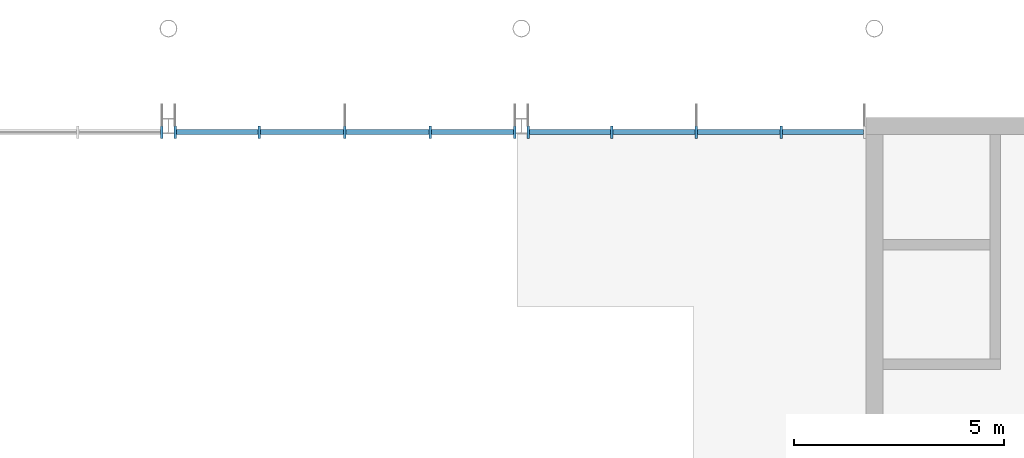
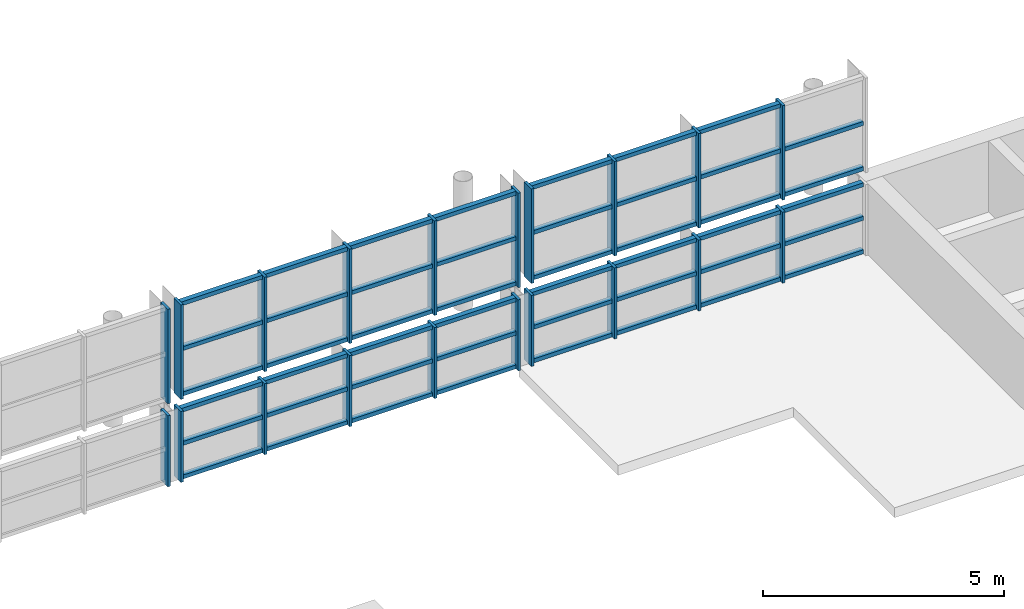
# One storey, part 26 of 72: 67 members, 6 elements without a shape of their own.
"""IFC4 building model written with IfcOpenShell, lengths in metres."""

from ifc_helpers import new_model, si_unit, direction, frame, origin, origin_2d, place, context, subcontext, project, spatial, rectangle, extrude, material, material_profile, profile_set, type_object, element, aggregate, save


model = new_model("IFC4")

# Units and contexts
model_context = context("Model", 3, precision=1e-05, world=origin(), true_north=direction((0.0, 1.0)))
body_context = subcontext(model_context, "Body", "Model", "MODEL_VIEW")
ifc_project = project(units=[si_unit("LENGTHUNIT", "METRE"), si_unit("AREAUNIT", "SQUARE_METRE"), si_unit("VOLUMEUNIT", "CUBIC_METRE"), si_unit("PLANEANGLEUNIT", "RADIAN"), si_unit("MASSUNIT", "GRAM", prefix="KILO")], contexts=[model_context])

# Site, building, storey
site_placement = place(None, origin())
site = spatial("IfcSite", under=ifc_project, at=site_placement, CompositionType="ELEMENT")
building_placement = place(site_placement, origin())
building = spatial("IfcBuilding", under=site, at=building_placement, Name="Hlaing Beacon Police Headquarters", CompositionType="ELEMENT")
storey_placement = place(building_placement, frame((0.0, 0.0, 14.39990234375)))
storey = spatial("IfcBuildingStorey", under=building, at=storey_placement, Name="L03", CompositionType="ELEMENT", Elevation=14.39990234375)

# Curtain wall, members
ifc_material_1 = material(Name="Aluminium frame with solar control glazing", Category="aluminium")
curtain_wall_type_1 = type_object("IfcCurtainWallType", Name="Unitised curtain wall 8.07 x 1.80 (300 frame)", PredefinedType="NOTDEFINED", material=ifc_material_1)
curtain_wall_1_placement = place(storey_placement, origin())
curtain_wall_1 = element("IfcCurtainWall", 1, at=curtain_wall_1_placement, inside=storey, type_object=curtain_wall_type_1, Name="ENV-CW-L03-N005", PredefinedType="NOTDEFINED")
ifc_material_2 = material(Name="Aluminium", Category="aluminium")
ifc_material_profile_1 = material_profile(ifc_material_2, rectangle(XDim=0.300048828125, YDim=0.06005859375, at=origin_2d()), Name="Mullion 60x300")
ifc_profile_set_1 = profile_set([ifc_material_profile_1], Name="Aluminium")
member_type_1 = type_object("IfcMemberType", Name="Mullion 60x300", PredefinedType="MULLION", material=ifc_profile_set_1)
member_1_placement = place(storey_placement, frame((56.58203125, 92.25, 0.0), z_axis=(0.0, 0.0, 1.0), x_axis=(0.0, -1.0, 0.0)))
member_1 = element("IfcMember", 2, at=member_1_placement, type_object=member_type_1, Name="CW-L03-N005 mullion 2", PredefinedType="MULLION", context=body_context, shape_type="SweptSolid", body=[
    extrude(rectangle(XDim=0.300048828125, YDim=0.06005859375, at=origin_2d()), origin(), (0.0, 0.0, 1.0), 1.800048828125),
])
member_2_placement = place(storey_placement, frame((54.564208984375, 92.25, 0.0), z_axis=(0.0, 0.0, 1.0), x_axis=(0.0, -1.0, 0.0)))
member_2 = element("IfcMember", 3, at=member_2_placement, type_object=member_type_1, Name="CW-L03-N005 mullion 3", PredefinedType="MULLION", context=body_context, shape_type="SweptSolid", body=[
    extrude(rectangle(XDim=0.300048828125, YDim=0.06005859375, at=origin_2d()), origin(), (0.0, 0.0, 1.0), 1.800048828125),
])
member_3_placement = place(storey_placement, frame((52.546142578125, 92.25, 0.0), z_axis=(0.0, 0.0, 1.0), x_axis=(0.0, -1.0, 0.0)))
member_3 = element("IfcMember", 4, at=member_3_placement, type_object=member_type_1, Name="CW-L03-N005 mullion 4", PredefinedType="MULLION", context=body_context, shape_type="SweptSolid", body=[
    extrude(rectangle(XDim=0.300048828125, YDim=0.06005859375, at=origin_2d()), origin(), (0.0, 0.0, 1.0), 1.800048828125),
])
member_4_placement = place(storey_placement, frame((50.558349609375, 92.25, 0.0), z_axis=(0.0, 0.0, 1.0), x_axis=(0.0, -1.0, 0.0)))
member_4 = element("IfcMember", 5, at=member_4_placement, type_object=member_type_1, Name="CW-L03-N005 mullion 5", PredefinedType="MULLION", context=body_context, shape_type="SweptSolid", body=[
    extrude(rectangle(XDim=0.300048828125, YDim=0.06005859375, at=origin_2d()), origin(), (0.0, 0.0, 1.0), 1.800048828125),
])

ifc_material_3 = material(Name="Aluminium frame with solar control glazing", Category="aluminium")
curtain_wall_type_2 = type_object("IfcCurtainWallType", Name="Unitised curtain wall 8.07 x 2.40 (300 frame)", PredefinedType="NOTDEFINED", material=ifc_material_3)
curtain_wall_2_placement = place(storey_placement, origin())
curtain_wall_2 = element("IfcCurtainWall", 6, at=curtain_wall_2_placement, inside=storey, type_object=curtain_wall_type_2, Name="ENV-CW-L03-N006", PredefinedType="NOTDEFINED")
member_5_placement = place(storey_placement, frame((56.58203125, 92.25, 2.10498046875), z_axis=(0.0, 0.0, 1.0), x_axis=(0.0, -1.0, 0.0)))
member_5 = element("IfcMember", 7, at=member_5_placement, type_object=member_type_1, Name="CW-L03-N006 mullion 2", PredefinedType="MULLION", context=body_context, shape_type="SweptSolid", body=[
    extrude(rectangle(XDim=0.300048828125, YDim=0.06005859375, at=origin_2d()), origin(), (0.0, 0.0, 1.0), 2.39501953125),
])
member_6_placement = place(storey_placement, frame((54.564208984375, 92.25, 2.10498046875), z_axis=(0.0, 0.0, 1.0), x_axis=(0.0, -1.0, 0.0)))
member_6 = element("IfcMember", 8, at=member_6_placement, type_object=member_type_1, Name="CW-L03-N006 mullion 3", PredefinedType="MULLION", context=body_context, shape_type="SweptSolid", body=[
    extrude(rectangle(XDim=0.300048828125, YDim=0.06005859375, at=origin_2d()), origin(), (0.0, 0.0, 1.0), 2.39501953125),
])
member_7_placement = place(storey_placement, frame((52.546142578125, 92.25, 2.10498046875), z_axis=(0.0, 0.0, 1.0), x_axis=(0.0, -1.0, 0.0)))
member_7 = element("IfcMember", 9, at=member_7_placement, type_object=member_type_1, Name="CW-L03-N006 mullion 4", PredefinedType="MULLION", context=body_context, shape_type="SweptSolid", body=[
    extrude(rectangle(XDim=0.300048828125, YDim=0.06005859375, at=origin_2d()), origin(), (0.0, 0.0, 1.0), 2.39501953125),
])
member_8_placement = place(storey_placement, frame((50.558349609375, 92.25, 2.10498046875), z_axis=(0.0, 0.0, 1.0), x_axis=(0.0, -1.0, 0.0)))
member_8 = element("IfcMember", 10, at=member_8_placement, type_object=member_type_1, Name="CW-L03-N006 mullion 5", PredefinedType="MULLION", context=body_context, shape_type="SweptSolid", body=[
    extrude(rectangle(XDim=0.300048828125, YDim=0.06005859375, at=origin_2d()), origin(), (0.0, 0.0, 1.0), 2.39501953125),
])

ifc_material_4 = material(Name="Aluminium frame with solar control glazing", Category="aluminium")
curtain_wall_type_3 = type_object("IfcCurtainWallType", Name="Unitised curtain wall 8.14 x 1.80 (300 frame)", PredefinedType="NOTDEFINED", material=ifc_material_4)
curtain_wall_3_placement = place(storey_placement, origin())
curtain_wall_3 = element("IfcCurtainWall", 11, at=curtain_wall_3_placement, inside=storey, type_object=curtain_wall_type_3, Name="ENV-CW-L03-N007", PredefinedType="NOTDEFINED")
member_9_placement = place(storey_placement, frame((50.24169921875, 92.25, 0.0), z_axis=(0.0, 0.0, 1.0), x_axis=(0.0, -1.0, 0.0)))
member_9 = element("IfcMember", 12, at=member_9_placement, type_object=member_type_1, Name="CW-L03-N007 mullion 1", PredefinedType="MULLION", context=body_context, shape_type="SweptSolid", body=[
    extrude(rectangle(XDim=0.300048828125, YDim=0.06005859375, at=origin_2d()), origin(), (0.0, 0.0, 1.0), 1.800048828125),
])
member_10_placement = place(storey_placement, frame((48.23583984375, 92.25, 0.0), z_axis=(0.0, 0.0, 1.0), x_axis=(0.0, -1.0, 0.0)))
member_10 = element("IfcMember", 13, at=member_10_placement, type_object=member_type_1, Name="CW-L03-N007 mullion 2", PredefinedType="MULLION", context=body_context, shape_type="SweptSolid", body=[
    extrude(rectangle(XDim=0.300048828125, YDim=0.06005859375, at=origin_2d()), origin(), (0.0, 0.0, 1.0), 1.800048828125),
])
member_11_placement = place(storey_placement, frame((46.199951171875, 92.25, 0.0), z_axis=(0.0, 0.0, 1.0), x_axis=(0.0, -1.0, 0.0)))
member_11 = element("IfcMember", 14, at=member_11_placement, type_object=member_type_1, Name="CW-L03-N007 mullion 3", PredefinedType="MULLION", context=body_context, shape_type="SweptSolid", body=[
    extrude(rectangle(XDim=0.300048828125, YDim=0.06005859375, at=origin_2d()), origin(), (0.0, 0.0, 1.0), 1.800048828125),
])
member_12_placement = place(storey_placement, frame((44.1640625, 92.25, 0.0), z_axis=(0.0, 0.0, 1.0), x_axis=(0.0, -1.0, 0.0)))
member_12 = element("IfcMember", 15, at=member_12_placement, type_object=member_type_1, Name="CW-L03-N007 mullion 4", PredefinedType="MULLION", context=body_context, shape_type="SweptSolid", body=[
    extrude(rectangle(XDim=0.300048828125, YDim=0.06005859375, at=origin_2d()), origin(), (0.0, 0.0, 1.0), 1.800048828125),
])
member_13_placement = place(storey_placement, frame((42.158203125, 92.25, 0.0), z_axis=(0.0, 0.0, 1.0), x_axis=(0.0, -1.0, 0.0)))
member_13 = element("IfcMember", 16, at=member_13_placement, type_object=member_type_1, Name="CW-L03-N007 mullion 5", PredefinedType="MULLION", context=body_context, shape_type="SweptSolid", body=[
    extrude(rectangle(XDim=0.300048828125, YDim=0.06005859375, at=origin_2d()), origin(), (0.0, 0.0, 1.0), 1.800048828125),
])

ifc_material_5 = material(Name="Aluminium frame with solar control glazing", Category="aluminium")
curtain_wall_type_4 = type_object("IfcCurtainWallType", Name="Unitised curtain wall 8.14 x 2.40 (300 frame)", PredefinedType="NOTDEFINED", material=ifc_material_5)
curtain_wall_4_placement = place(storey_placement, origin())
curtain_wall_4 = element("IfcCurtainWall", 17, at=curtain_wall_4_placement, inside=storey, type_object=curtain_wall_type_4, Name="ENV-CW-L03-N008", PredefinedType="NOTDEFINED")
member_14_placement = place(storey_placement, frame((50.24169921875, 92.25, 2.10498046875), z_axis=(0.0, 0.0, 1.0), x_axis=(0.0, -1.0, 0.0)))
member_14 = element("IfcMember", 18, at=member_14_placement, type_object=member_type_1, Name="CW-L03-N008 mullion 1", PredefinedType="MULLION", context=body_context, shape_type="SweptSolid", body=[
    extrude(rectangle(XDim=0.300048828125, YDim=0.06005859375, at=origin_2d()), origin(), (0.0, 0.0, 1.0), 2.39501953125),
])
member_15_placement = place(storey_placement, frame((48.23583984375, 92.25, 2.10498046875), z_axis=(0.0, 0.0, 1.0), x_axis=(0.0, -1.0, 0.0)))
member_15 = element("IfcMember", 19, at=member_15_placement, type_object=member_type_1, Name="CW-L03-N008 mullion 2", PredefinedType="MULLION", context=body_context, shape_type="SweptSolid", body=[
    extrude(rectangle(XDim=0.300048828125, YDim=0.06005859375, at=origin_2d()), origin(), (0.0, 0.0, 1.0), 2.39501953125),
])
member_16_placement = place(storey_placement, frame((46.199951171875, 92.25, 2.10498046875), z_axis=(0.0, 0.0, 1.0), x_axis=(0.0, -1.0, 0.0)))
member_16 = element("IfcMember", 20, at=member_16_placement, type_object=member_type_1, Name="CW-L03-N008 mullion 3", PredefinedType="MULLION", context=body_context, shape_type="SweptSolid", body=[
    extrude(rectangle(XDim=0.300048828125, YDim=0.06005859375, at=origin_2d()), origin(), (0.0, 0.0, 1.0), 2.39501953125),
])
member_17_placement = place(storey_placement, frame((44.1640625, 92.25, 2.10498046875), z_axis=(0.0, 0.0, 1.0), x_axis=(0.0, -1.0, 0.0)))
member_17 = element("IfcMember", 21, at=member_17_placement, type_object=member_type_1, Name="CW-L03-N008 mullion 4", PredefinedType="MULLION", context=body_context, shape_type="SweptSolid", body=[
    extrude(rectangle(XDim=0.300048828125, YDim=0.06005859375, at=origin_2d()), origin(), (0.0, 0.0, 1.0), 2.39501953125),
])
member_18_placement = place(storey_placement, frame((42.158203125, 92.25, 2.10498046875), z_axis=(0.0, 0.0, 1.0), x_axis=(0.0, -1.0, 0.0)))
member_18 = element("IfcMember", 22, at=member_18_placement, type_object=member_type_1, Name="CW-L03-N008 mullion 5", PredefinedType="MULLION", context=body_context, shape_type="SweptSolid", body=[
    extrude(rectangle(XDim=0.300048828125, YDim=0.06005859375, at=origin_2d()), origin(), (0.0, 0.0, 1.0), 2.39501953125),
])

# Curtain wall, member
curtain_wall_5_placement = place(storey_placement, origin())
curtain_wall_5 = element("IfcCurtainWall", 23, at=curtain_wall_5_placement, inside=storey, type_object=curtain_wall_type_3, Name="ENV-CW-L03-N009", PredefinedType="NOTDEFINED")
member_19_placement = place(storey_placement, frame((41.841796875, 92.25, 0.0), z_axis=(0.0, 0.0, 1.0), x_axis=(0.0, -1.0, 0.0)))
member_19 = element("IfcMember", 24, at=member_19_placement, type_object=member_type_1, Name="CW-L03-N009 mullion 1", PredefinedType="MULLION", context=body_context, shape_type="SweptSolid", body=[
    extrude(rectangle(XDim=0.300048828125, YDim=0.06005859375, at=origin_2d()), origin(), (0.0, 0.0, 1.0), 1.800048828125),
])
aggregate(curtain_wall_5, [member_19])

curtain_wall_6_placement = place(storey_placement, origin())
curtain_wall_6 = element("IfcCurtainWall", 25, at=curtain_wall_6_placement, inside=storey, type_object=curtain_wall_type_4, Name="ENV-CW-L03-N010", PredefinedType="NOTDEFINED")
member_20_placement = place(storey_placement, frame((41.841796875, 92.25, 2.10498046875), z_axis=(0.0, 0.0, 1.0), x_axis=(0.0, -1.0, 0.0)))
member_20 = element("IfcMember", 26, at=member_20_placement, type_object=member_type_1, Name="CW-L03-N010 mullion 1", PredefinedType="MULLION", context=body_context, shape_type="SweptSolid", body=[
    extrude(rectangle(XDim=0.300048828125, YDim=0.06005859375, at=origin_2d()), origin(), (0.0, 0.0, 1.0), 2.39501953125),
])
aggregate(curtain_wall_6, [member_20])

# Member
ifc_material_6 = material(Name="Aluminium", Category="aluminium")
ifc_material_profile_2 = material_profile(ifc_material_6, rectangle(XDim=0.1201171875, YDim=0.10009765625, at=origin_2d()), Name="Transom 120x100")
ifc_profile_set_2 = profile_set([ifc_material_profile_2], Name="Aluminium")
member_type_2 = type_object("IfcMemberType", Name="Transom 120x100", PredefinedType="USERDEFINED", material=ifc_profile_set_2)
member_21_placement = place(storey_placement, frame((58.5400390625, 92.25, 0.050048828125), z_axis=(-1.0, 0.0, 0.0), x_axis=(0.0, -1.0, 0.0)))
member_21 = element("IfcMember", 27, at=member_21_placement, type_object=member_type_2, Name="CW-L03-N005 transom 1.1", ObjectType="TRANSOM", PredefinedType="USERDEFINED", context=body_context, shape_type="SweptSolid", body=[
    extrude(rectangle(XDim=0.1201171875, YDim=0.10009765625, at=origin_2d()), origin(), (0.0, 0.0, 1.0), 1.927978515625),
])

member_22_placement = place(storey_placement, frame((58.5400390625, 92.25, 0.900146484375), z_axis=(-1.0, 0.0, 0.0), x_axis=(0.0, -1.0, 0.0)))
member_22 = element("IfcMember", 28, at=member_22_placement, type_object=member_type_2, Name="CW-L03-N005 transom 1.2", ObjectType="TRANSOM", PredefinedType="USERDEFINED", context=body_context, shape_type="SweptSolid", body=[
    extrude(rectangle(XDim=0.1201171875, YDim=0.10009765625, at=origin_2d()), origin(), (0.0, 0.0, 1.0), 1.927978515625),
])

member_23_placement = place(storey_placement, frame((58.5400390625, 92.25, 1.75), z_axis=(-1.0, 0.0, 0.0), x_axis=(0.0, -1.0, 0.0)))
member_23 = element("IfcMember", 29, at=member_23_placement, type_object=member_type_2, Name="CW-L03-N005 transom 1.3", ObjectType="TRANSOM", PredefinedType="USERDEFINED", context=body_context, shape_type="SweptSolid", body=[
    extrude(rectangle(XDim=0.1201171875, YDim=0.10009765625, at=origin_2d()), origin(), (0.0, 0.0, 1.0), 1.927978515625),
])

member_24_placement = place(storey_placement, frame((56.552001953125, 92.25, 0.050048828125), z_axis=(-1.0, 0.0, 0.0), x_axis=(0.0, -1.0, 0.0)))
member_24 = element("IfcMember", 30, at=member_24_placement, type_object=member_type_2, Name="CW-L03-N005 transom 2.1", ObjectType="TRANSOM", PredefinedType="USERDEFINED", context=body_context, shape_type="SweptSolid", body=[
    extrude(rectangle(XDim=0.1201171875, YDim=0.10009765625, at=origin_2d()), origin(), (0.0, 0.0, 1.0), 1.957763671875),
])

member_25_placement = place(storey_placement, frame((56.552001953125, 92.25, 0.900146484375), z_axis=(-1.0, 0.0, 0.0), x_axis=(0.0, -1.0, 0.0)))
member_25 = element("IfcMember", 31, at=member_25_placement, type_object=member_type_2, Name="CW-L03-N005 transom 2.2", ObjectType="TRANSOM", PredefinedType="USERDEFINED", context=body_context, shape_type="SweptSolid", body=[
    extrude(rectangle(XDim=0.1201171875, YDim=0.10009765625, at=origin_2d()), origin(), (0.0, 0.0, 1.0), 1.957763671875),
])

member_26_placement = place(storey_placement, frame((56.552001953125, 92.25, 1.75), z_axis=(-1.0, 0.0, 0.0), x_axis=(0.0, -1.0, 0.0)))
member_26 = element("IfcMember", 32, at=member_26_placement, type_object=member_type_2, Name="CW-L03-N005 transom 2.3", ObjectType="TRANSOM", PredefinedType="USERDEFINED", context=body_context, shape_type="SweptSolid", body=[
    extrude(rectangle(XDim=0.1201171875, YDim=0.10009765625, at=origin_2d()), origin(), (0.0, 0.0, 1.0), 1.957763671875),
])

member_27_placement = place(storey_placement, frame((54.5341796875, 92.25, 0.050048828125), z_axis=(-1.0, 0.0, 0.0), x_axis=(0.0, -1.0, 0.0)))
member_27 = element("IfcMember", 33, at=member_27_placement, type_object=member_type_2, Name="CW-L03-N005 transom 3.1", ObjectType="TRANSOM", PredefinedType="USERDEFINED", context=body_context, shape_type="SweptSolid", body=[
    extrude(rectangle(XDim=0.1201171875, YDim=0.10009765625, at=origin_2d()), origin(), (0.0, 0.0, 1.0), 1.9580078125),
])

member_28_placement = place(storey_placement, frame((54.5341796875, 92.25, 0.900146484375), z_axis=(-1.0, 0.0, 0.0), x_axis=(0.0, -1.0, 0.0)))
member_28 = element("IfcMember", 34, at=member_28_placement, type_object=member_type_2, Name="CW-L03-N005 transom 3.2", ObjectType="TRANSOM", PredefinedType="USERDEFINED", context=body_context, shape_type="SweptSolid", body=[
    extrude(rectangle(XDim=0.1201171875, YDim=0.10009765625, at=origin_2d()), origin(), (0.0, 0.0, 1.0), 1.9580078125),
])

member_29_placement = place(storey_placement, frame((54.5341796875, 92.25, 1.75), z_axis=(-1.0, 0.0, 0.0), x_axis=(0.0, -1.0, 0.0)))
member_29 = element("IfcMember", 35, at=member_29_placement, type_object=member_type_2, Name="CW-L03-N005 transom 3.3", ObjectType="TRANSOM", PredefinedType="USERDEFINED", context=body_context, shape_type="SweptSolid", body=[
    extrude(rectangle(XDim=0.1201171875, YDim=0.10009765625, at=origin_2d()), origin(), (0.0, 0.0, 1.0), 1.9580078125),
])

member_30_placement = place(storey_placement, frame((52.51611328125, 92.25, 0.050048828125), z_axis=(-1.0, 0.0, 0.0), x_axis=(0.0, -1.0, 0.0)))
member_30 = element("IfcMember", 36, at=member_30_placement, type_object=member_type_2, Name="CW-L03-N005 transom 4.1", ObjectType="TRANSOM", PredefinedType="USERDEFINED", context=body_context, shape_type="SweptSolid", body=[
    extrude(rectangle(XDim=0.1201171875, YDim=0.10009765625, at=origin_2d()), origin(), (0.0, 0.0, 1.0), 1.927734375),
])

member_31_placement = place(storey_placement, frame((52.51611328125, 92.25, 0.900146484375), z_axis=(-1.0, 0.0, 0.0), x_axis=(0.0, -1.0, 0.0)))
member_31 = element("IfcMember", 37, at=member_31_placement, type_object=member_type_2, Name="CW-L03-N005 transom 4.2", ObjectType="TRANSOM", PredefinedType="USERDEFINED", context=body_context, shape_type="SweptSolid", body=[
    extrude(rectangle(XDim=0.1201171875, YDim=0.10009765625, at=origin_2d()), origin(), (0.0, 0.0, 1.0), 1.927734375),
])

member_32_placement = place(storey_placement, frame((52.51611328125, 92.25, 1.75), z_axis=(-1.0, 0.0, 0.0), x_axis=(0.0, -1.0, 0.0)))
member_32 = element("IfcMember", 38, at=member_32_placement, type_object=member_type_2, Name="CW-L03-N005 transom 4.3", ObjectType="TRANSOM", PredefinedType="USERDEFINED", context=body_context, shape_type="SweptSolid", body=[
    extrude(rectangle(XDim=0.1201171875, YDim=0.10009765625, at=origin_2d()), origin(), (0.0, 0.0, 1.0), 1.927734375),
])

aggregate(curtain_wall_1, [member_1, member_2, member_3, member_4, member_21, member_22, member_23, member_24, member_25, member_26, member_27, member_28, member_29, member_30, member_31, member_32])

member_33_placement = place(storey_placement, frame((58.5400390625, 92.25, 2.15478515625), z_axis=(-1.0, 0.0, 0.0), x_axis=(0.0, -1.0, 0.0)))
member_33 = element("IfcMember", 39, at=member_33_placement, type_object=member_type_2, Name="CW-L03-N006 transom 1.1", ObjectType="TRANSOM", PredefinedType="USERDEFINED", context=body_context, shape_type="SweptSolid", body=[
    extrude(rectangle(XDim=0.1201171875, YDim=0.10009765625, at=origin_2d()), origin(), (0.0, 0.0, 1.0), 1.927978515625),
])

member_34_placement = place(storey_placement, frame((58.5400390625, 92.25, 3.302978515625), z_axis=(-1.0, 0.0, 0.0), x_axis=(0.0, -1.0, 0.0)))
member_34 = element("IfcMember", 40, at=member_34_placement, type_object=member_type_2, Name="CW-L03-N006 transom 1.2", ObjectType="TRANSOM", PredefinedType="USERDEFINED", context=body_context, shape_type="SweptSolid", body=[
    extrude(rectangle(XDim=0.1201171875, YDim=0.10009765625, at=origin_2d()), origin(), (0.0, 0.0, 1.0), 1.927978515625),
])

member_35_placement = place(storey_placement, frame((56.552001953125, 92.25, 2.15478515625), z_axis=(-1.0, 0.0, 0.0), x_axis=(0.0, -1.0, 0.0)))
member_35 = element("IfcMember", 41, at=member_35_placement, type_object=member_type_2, Name="CW-L03-N006 transom 2.1", ObjectType="TRANSOM", PredefinedType="USERDEFINED", context=body_context, shape_type="SweptSolid", body=[
    extrude(rectangle(XDim=0.1201171875, YDim=0.10009765625, at=origin_2d()), origin(), (0.0, 0.0, 1.0), 1.957763671875),
])

member_36_placement = place(storey_placement, frame((56.552001953125, 92.25, 3.302978515625), z_axis=(-1.0, 0.0, 0.0), x_axis=(0.0, -1.0, 0.0)))
member_36 = element("IfcMember", 42, at=member_36_placement, type_object=member_type_2, Name="CW-L03-N006 transom 2.2", ObjectType="TRANSOM", PredefinedType="USERDEFINED", context=body_context, shape_type="SweptSolid", body=[
    extrude(rectangle(XDim=0.1201171875, YDim=0.10009765625, at=origin_2d()), origin(), (0.0, 0.0, 1.0), 1.957763671875),
])

member_37_placement = place(storey_placement, frame((56.552001953125, 92.25, 4.4501953125), z_axis=(-1.0, 0.0, 0.0), x_axis=(0.0, -1.0, 0.0)))
member_37 = element("IfcMember", 43, at=member_37_placement, type_object=member_type_2, Name="CW-L03-N006 transom 2.3", ObjectType="TRANSOM", PredefinedType="USERDEFINED", context=body_context, shape_type="SweptSolid", body=[
    extrude(rectangle(XDim=0.1201171875, YDim=0.10009765625, at=origin_2d()), origin(), (0.0, 0.0, 1.0), 1.957763671875),
])

member_38_placement = place(storey_placement, frame((54.5341796875, 92.25, 2.15478515625), z_axis=(-1.0, 0.0, 0.0), x_axis=(0.0, -1.0, 0.0)))
member_38 = element("IfcMember", 44, at=member_38_placement, type_object=member_type_2, Name="CW-L03-N006 transom 3.1", ObjectType="TRANSOM", PredefinedType="USERDEFINED", context=body_context, shape_type="SweptSolid", body=[
    extrude(rectangle(XDim=0.1201171875, YDim=0.10009765625, at=origin_2d()), origin(), (0.0, 0.0, 1.0), 1.9580078125),
])

member_39_placement = place(storey_placement, frame((54.5341796875, 92.25, 3.302978515625), z_axis=(-1.0, 0.0, 0.0), x_axis=(0.0, -1.0, 0.0)))
member_39 = element("IfcMember", 45, at=member_39_placement, type_object=member_type_2, Name="CW-L03-N006 transom 3.2", ObjectType="TRANSOM", PredefinedType="USERDEFINED", context=body_context, shape_type="SweptSolid", body=[
    extrude(rectangle(XDim=0.1201171875, YDim=0.10009765625, at=origin_2d()), origin(), (0.0, 0.0, 1.0), 1.9580078125),
])

member_40_placement = place(storey_placement, frame((54.5341796875, 92.25, 4.4501953125), z_axis=(-1.0, 0.0, 0.0), x_axis=(0.0, -1.0, 0.0)))
member_40 = element("IfcMember", 46, at=member_40_placement, type_object=member_type_2, Name="CW-L03-N006 transom 3.3", ObjectType="TRANSOM", PredefinedType="USERDEFINED", context=body_context, shape_type="SweptSolid", body=[
    extrude(rectangle(XDim=0.1201171875, YDim=0.10009765625, at=origin_2d()), origin(), (0.0, 0.0, 1.0), 1.9580078125),
])

member_41_placement = place(storey_placement, frame((52.51611328125, 92.25, 2.15478515625), z_axis=(-1.0, 0.0, 0.0), x_axis=(0.0, -1.0, 0.0)))
member_41 = element("IfcMember", 47, at=member_41_placement, type_object=member_type_2, Name="CW-L03-N006 transom 4.1", ObjectType="TRANSOM", PredefinedType="USERDEFINED", context=body_context, shape_type="SweptSolid", body=[
    extrude(rectangle(XDim=0.1201171875, YDim=0.10009765625, at=origin_2d()), origin(), (0.0, 0.0, 1.0), 1.927734375),
])

member_42_placement = place(storey_placement, frame((52.51611328125, 92.25, 3.302978515625), z_axis=(-1.0, 0.0, 0.0), x_axis=(0.0, -1.0, 0.0)))
member_42 = element("IfcMember", 48, at=member_42_placement, type_object=member_type_2, Name="CW-L03-N006 transom 4.2", ObjectType="TRANSOM", PredefinedType="USERDEFINED", context=body_context, shape_type="SweptSolid", body=[
    extrude(rectangle(XDim=0.1201171875, YDim=0.10009765625, at=origin_2d()), origin(), (0.0, 0.0, 1.0), 1.927734375),
])

member_43_placement = place(storey_placement, frame((52.51611328125, 92.25, 4.4501953125), z_axis=(-1.0, 0.0, 0.0), x_axis=(0.0, -1.0, 0.0)))
member_43 = element("IfcMember", 49, at=member_43_placement, type_object=member_type_2, Name="CW-L03-N006 transom 4.3", ObjectType="TRANSOM", PredefinedType="USERDEFINED", context=body_context, shape_type="SweptSolid", body=[
    extrude(rectangle(XDim=0.1201171875, YDim=0.10009765625, at=origin_2d()), origin(), (0.0, 0.0, 1.0), 1.927734375),
])

aggregate(curtain_wall_2, [member_5, member_6, member_7, member_8, member_33, member_34, member_35, member_36, member_37, member_38, member_39, member_40, member_41, member_42, member_43])

member_44_placement = place(storey_placement, frame((50.211669921875, 92.25, 0.050048828125), z_axis=(-1.0, 0.0, 0.0), x_axis=(0.0, -1.0, 0.0)))
member_44 = element("IfcMember", 50, at=member_44_placement, type_object=member_type_2, Name="CW-L03-N007 transom 1.1", ObjectType="TRANSOM", PredefinedType="USERDEFINED", context=body_context, shape_type="SweptSolid", body=[
    extrude(rectangle(XDim=0.1201171875, YDim=0.10009765625, at=origin_2d()), origin(), (0.0, 0.0, 1.0), 1.94580078125),
])

member_45_placement = place(storey_placement, frame((50.211669921875, 92.25, 0.900146484375), z_axis=(-1.0, 0.0, 0.0), x_axis=(0.0, -1.0, 0.0)))
member_45 = element("IfcMember", 51, at=member_45_placement, type_object=member_type_2, Name="CW-L03-N007 transom 1.2", ObjectType="TRANSOM", PredefinedType="USERDEFINED", context=body_context, shape_type="SweptSolid", body=[
    extrude(rectangle(XDim=0.1201171875, YDim=0.10009765625, at=origin_2d()), origin(), (0.0, 0.0, 1.0), 1.94580078125),
])

member_46_placement = place(storey_placement, frame((50.211669921875, 92.25, 1.75), z_axis=(-1.0, 0.0, 0.0), x_axis=(0.0, -1.0, 0.0)))
member_46 = element("IfcMember", 52, at=member_46_placement, type_object=member_type_2, Name="CW-L03-N007 transom 1.3", ObjectType="TRANSOM", PredefinedType="USERDEFINED", context=body_context, shape_type="SweptSolid", body=[
    extrude(rectangle(XDim=0.1201171875, YDim=0.10009765625, at=origin_2d()), origin(), (0.0, 0.0, 1.0), 1.94580078125),
])

member_47_placement = place(storey_placement, frame((48.205810546875, 92.25, 0.050048828125), z_axis=(-1.0, 0.0, 0.0), x_axis=(0.0, -1.0, 0.0)))
member_47 = element("IfcMember", 53, at=member_47_placement, type_object=member_type_2, Name="CW-L03-N007 transom 2.1", ObjectType="TRANSOM", PredefinedType="USERDEFINED", context=body_context, shape_type="SweptSolid", body=[
    extrude(rectangle(XDim=0.1201171875, YDim=0.10009765625, at=origin_2d()), origin(), (0.0, 0.0, 1.0), 1.975830078125),
])

member_48_placement = place(storey_placement, frame((48.205810546875, 92.25, 0.900146484375), z_axis=(-1.0, 0.0, 0.0), x_axis=(0.0, -1.0, 0.0)))
member_48 = element("IfcMember", 54, at=member_48_placement, type_object=member_type_2, Name="CW-L03-N007 transom 2.2", ObjectType="TRANSOM", PredefinedType="USERDEFINED", context=body_context, shape_type="SweptSolid", body=[
    extrude(rectangle(XDim=0.1201171875, YDim=0.10009765625, at=origin_2d()), origin(), (0.0, 0.0, 1.0), 1.975830078125),
])

member_49_placement = place(storey_placement, frame((48.205810546875, 92.25, 1.75), z_axis=(-1.0, 0.0, 0.0), x_axis=(0.0, -1.0, 0.0)))
member_49 = element("IfcMember", 55, at=member_49_placement, type_object=member_type_2, Name="CW-L03-N007 transom 2.3", ObjectType="TRANSOM", PredefinedType="USERDEFINED", context=body_context, shape_type="SweptSolid", body=[
    extrude(rectangle(XDim=0.1201171875, YDim=0.10009765625, at=origin_2d()), origin(), (0.0, 0.0, 1.0), 1.975830078125),
])

member_50_placement = place(storey_placement, frame((46.169921875, 92.25, 0.050048828125), z_axis=(-1.0, 0.0, 0.0), x_axis=(0.0, -1.0, 0.0)))
member_50 = element("IfcMember", 56, at=member_50_placement, type_object=member_type_2, Name="CW-L03-N007 transom 3.1", ObjectType="TRANSOM", PredefinedType="USERDEFINED", context=body_context, shape_type="SweptSolid", body=[
    extrude(rectangle(XDim=0.1201171875, YDim=0.10009765625, at=origin_2d()), origin(), (0.0, 0.0, 1.0), 1.975830078125),
])

member_51_placement = place(storey_placement, frame((46.169921875, 92.25, 0.900146484375), z_axis=(-1.0, 0.0, 0.0), x_axis=(0.0, -1.0, 0.0)))
member_51 = element("IfcMember", 57, at=member_51_placement, type_object=member_type_2, Name="CW-L03-N007 transom 3.2", ObjectType="TRANSOM", PredefinedType="USERDEFINED", context=body_context, shape_type="SweptSolid", body=[
    extrude(rectangle(XDim=0.1201171875, YDim=0.10009765625, at=origin_2d()), origin(), (0.0, 0.0, 1.0), 1.975830078125),
])

member_52_placement = place(storey_placement, frame((46.169921875, 92.25, 1.75), z_axis=(-1.0, 0.0, 0.0), x_axis=(0.0, -1.0, 0.0)))
member_52 = element("IfcMember", 58, at=member_52_placement, type_object=member_type_2, Name="CW-L03-N007 transom 3.3", ObjectType="TRANSOM", PredefinedType="USERDEFINED", context=body_context, shape_type="SweptSolid", body=[
    extrude(rectangle(XDim=0.1201171875, YDim=0.10009765625, at=origin_2d()), origin(), (0.0, 0.0, 1.0), 1.975830078125),
])

member_53_placement = place(storey_placement, frame((44.134033203125, 92.25, 0.050048828125), z_axis=(-1.0, 0.0, 0.0), x_axis=(0.0, -1.0, 0.0)))
member_53 = element("IfcMember", 59, at=member_53_placement, type_object=member_type_2, Name="CW-L03-N007 transom 4.1", ObjectType="TRANSOM", PredefinedType="USERDEFINED", context=body_context, shape_type="SweptSolid", body=[
    extrude(rectangle(XDim=0.1201171875, YDim=0.10009765625, at=origin_2d()), origin(), (0.0, 0.0, 1.0), 1.94580078125),
])

member_54_placement = place(storey_placement, frame((44.134033203125, 92.25, 0.900146484375), z_axis=(-1.0, 0.0, 0.0), x_axis=(0.0, -1.0, 0.0)))
member_54 = element("IfcMember", 60, at=member_54_placement, type_object=member_type_2, Name="CW-L03-N007 transom 4.2", ObjectType="TRANSOM", PredefinedType="USERDEFINED", context=body_context, shape_type="SweptSolid", body=[
    extrude(rectangle(XDim=0.1201171875, YDim=0.10009765625, at=origin_2d()), origin(), (0.0, 0.0, 1.0), 1.94580078125),
])

member_55_placement = place(storey_placement, frame((44.134033203125, 92.25, 1.75), z_axis=(-1.0, 0.0, 0.0), x_axis=(0.0, -1.0, 0.0)))
member_55 = element("IfcMember", 61, at=member_55_placement, type_object=member_type_2, Name="CW-L03-N007 transom 4.3", ObjectType="TRANSOM", PredefinedType="USERDEFINED", context=body_context, shape_type="SweptSolid", body=[
    extrude(rectangle(XDim=0.1201171875, YDim=0.10009765625, at=origin_2d()), origin(), (0.0, 0.0, 1.0), 1.94580078125),
])

aggregate(curtain_wall_3, [member_9, member_10, member_11, member_12, member_13, member_44, member_45, member_46, member_47, member_48, member_49, member_50, member_51, member_52, member_53, member_54, member_55])

member_56_placement = place(storey_placement, frame((50.211669921875, 92.25, 2.15478515625), z_axis=(-1.0, 0.0, 0.0), x_axis=(0.0, -1.0, 0.0)))
member_56 = element("IfcMember", 62, at=member_56_placement, type_object=member_type_2, Name="CW-L03-N008 transom 1.1", ObjectType="TRANSOM", PredefinedType="USERDEFINED", context=body_context, shape_type="SweptSolid", body=[
    extrude(rectangle(XDim=0.1201171875, YDim=0.10009765625, at=origin_2d()), origin(), (0.0, 0.0, 1.0), 1.94580078125),
])

member_57_placement = place(storey_placement, frame((50.211669921875, 92.25, 3.302978515625), z_axis=(-1.0, 0.0, 0.0), x_axis=(0.0, -1.0, 0.0)))
member_57 = element("IfcMember", 63, at=member_57_placement, type_object=member_type_2, Name="CW-L03-N008 transom 1.2", ObjectType="TRANSOM", PredefinedType="USERDEFINED", context=body_context, shape_type="SweptSolid", body=[
    extrude(rectangle(XDim=0.1201171875, YDim=0.10009765625, at=origin_2d()), origin(), (0.0, 0.0, 1.0), 1.94580078125),
])

member_58_placement = place(storey_placement, frame((50.211669921875, 92.25, 4.4501953125), z_axis=(-1.0, 0.0, 0.0), x_axis=(0.0, -1.0, 0.0)))
member_58 = element("IfcMember", 64, at=member_58_placement, type_object=member_type_2, Name="CW-L03-N008 transom 1.3", ObjectType="TRANSOM", PredefinedType="USERDEFINED", context=body_context, shape_type="SweptSolid", body=[
    extrude(rectangle(XDim=0.1201171875, YDim=0.10009765625, at=origin_2d()), origin(), (0.0, 0.0, 1.0), 1.94580078125),
])

member_59_placement = place(storey_placement, frame((48.205810546875, 92.25, 2.15478515625), z_axis=(-1.0, 0.0, 0.0), x_axis=(0.0, -1.0, 0.0)))
member_59 = element("IfcMember", 65, at=member_59_placement, type_object=member_type_2, Name="CW-L03-N008 transom 2.1", ObjectType="TRANSOM", PredefinedType="USERDEFINED", context=body_context, shape_type="SweptSolid", body=[
    extrude(rectangle(XDim=0.1201171875, YDim=0.10009765625, at=origin_2d()), origin(), (0.0, 0.0, 1.0), 1.975830078125),
])

member_60_placement = place(storey_placement, frame((48.205810546875, 92.25, 3.302978515625), z_axis=(-1.0, 0.0, 0.0), x_axis=(0.0, -1.0, 0.0)))
member_60 = element("IfcMember", 66, at=member_60_placement, type_object=member_type_2, Name="CW-L03-N008 transom 2.2", ObjectType="TRANSOM", PredefinedType="USERDEFINED", context=body_context, shape_type="SweptSolid", body=[
    extrude(rectangle(XDim=0.1201171875, YDim=0.10009765625, at=origin_2d()), origin(), (0.0, 0.0, 1.0), 1.975830078125),
])

member_61_placement = place(storey_placement, frame((48.205810546875, 92.25, 4.4501953125), z_axis=(-1.0, 0.0, 0.0), x_axis=(0.0, -1.0, 0.0)))
member_61 = element("IfcMember", 67, at=member_61_placement, type_object=member_type_2, Name="CW-L03-N008 transom 2.3", ObjectType="TRANSOM", PredefinedType="USERDEFINED", context=body_context, shape_type="SweptSolid", body=[
    extrude(rectangle(XDim=0.1201171875, YDim=0.10009765625, at=origin_2d()), origin(), (0.0, 0.0, 1.0), 1.975830078125),
])

member_62_placement = place(storey_placement, frame((46.169921875, 92.25, 2.15478515625), z_axis=(-1.0, 0.0, 0.0), x_axis=(0.0, -1.0, 0.0)))
member_62 = element("IfcMember", 68, at=member_62_placement, type_object=member_type_2, Name="CW-L03-N008 transom 3.1", ObjectType="TRANSOM", PredefinedType="USERDEFINED", context=body_context, shape_type="SweptSolid", body=[
    extrude(rectangle(XDim=0.1201171875, YDim=0.10009765625, at=origin_2d()), origin(), (0.0, 0.0, 1.0), 1.975830078125),
])

member_63_placement = place(storey_placement, frame((46.169921875, 92.25, 3.302978515625), z_axis=(-1.0, 0.0, 0.0), x_axis=(0.0, -1.0, 0.0)))
member_63 = element("IfcMember", 69, at=member_63_placement, type_object=member_type_2, Name="CW-L03-N008 transom 3.2", ObjectType="TRANSOM", PredefinedType="USERDEFINED", context=body_context, shape_type="SweptSolid", body=[
    extrude(rectangle(XDim=0.1201171875, YDim=0.10009765625, at=origin_2d()), origin(), (0.0, 0.0, 1.0), 1.975830078125),
])

member_64_placement = place(storey_placement, frame((46.169921875, 92.25, 4.4501953125), z_axis=(-1.0, 0.0, 0.0), x_axis=(0.0, -1.0, 0.0)))
member_64 = element("IfcMember", 70, at=member_64_placement, type_object=member_type_2, Name="CW-L03-N008 transom 3.3", ObjectType="TRANSOM", PredefinedType="USERDEFINED", context=body_context, shape_type="SweptSolid", body=[
    extrude(rectangle(XDim=0.1201171875, YDim=0.10009765625, at=origin_2d()), origin(), (0.0, 0.0, 1.0), 1.975830078125),
])

member_65_placement = place(storey_placement, frame((44.134033203125, 92.25, 2.15478515625), z_axis=(-1.0, 0.0, 0.0), x_axis=(0.0, -1.0, 0.0)))
member_65 = element("IfcMember", 71, at=member_65_placement, type_object=member_type_2, Name="CW-L03-N008 transom 4.1", ObjectType="TRANSOM", PredefinedType="USERDEFINED", context=body_context, shape_type="SweptSolid", body=[
    extrude(rectangle(XDim=0.1201171875, YDim=0.10009765625, at=origin_2d()), origin(), (0.0, 0.0, 1.0), 1.94580078125),
])

member_66_placement = place(storey_placement, frame((44.134033203125, 92.25, 3.302978515625), z_axis=(-1.0, 0.0, 0.0), x_axis=(0.0, -1.0, 0.0)))
member_66 = element("IfcMember", 72, at=member_66_placement, type_object=member_type_2, Name="CW-L03-N008 transom 4.2", ObjectType="TRANSOM", PredefinedType="USERDEFINED", context=body_context, shape_type="SweptSolid", body=[
    extrude(rectangle(XDim=0.1201171875, YDim=0.10009765625, at=origin_2d()), origin(), (0.0, 0.0, 1.0), 1.94580078125),
])

member_67_placement = place(storey_placement, frame((44.134033203125, 92.25, 4.4501953125), z_axis=(-1.0, 0.0, 0.0), x_axis=(0.0, -1.0, 0.0)))
member_67 = element("IfcMember", 73, at=member_67_placement, type_object=member_type_2, Name="CW-L03-N008 transom 4.3", ObjectType="TRANSOM", PredefinedType="USERDEFINED", context=body_context, shape_type="SweptSolid", body=[
    extrude(rectangle(XDim=0.1201171875, YDim=0.10009765625, at=origin_2d()), origin(), (0.0, 0.0, 1.0), 1.94580078125),
])

aggregate(curtain_wall_4, [member_14, member_15, member_16, member_17, member_18, member_56, member_57, member_58, member_59, member_60, member_61, member_62, member_63, member_64, member_65, member_66, member_67])

save(model, "model.ifc")
